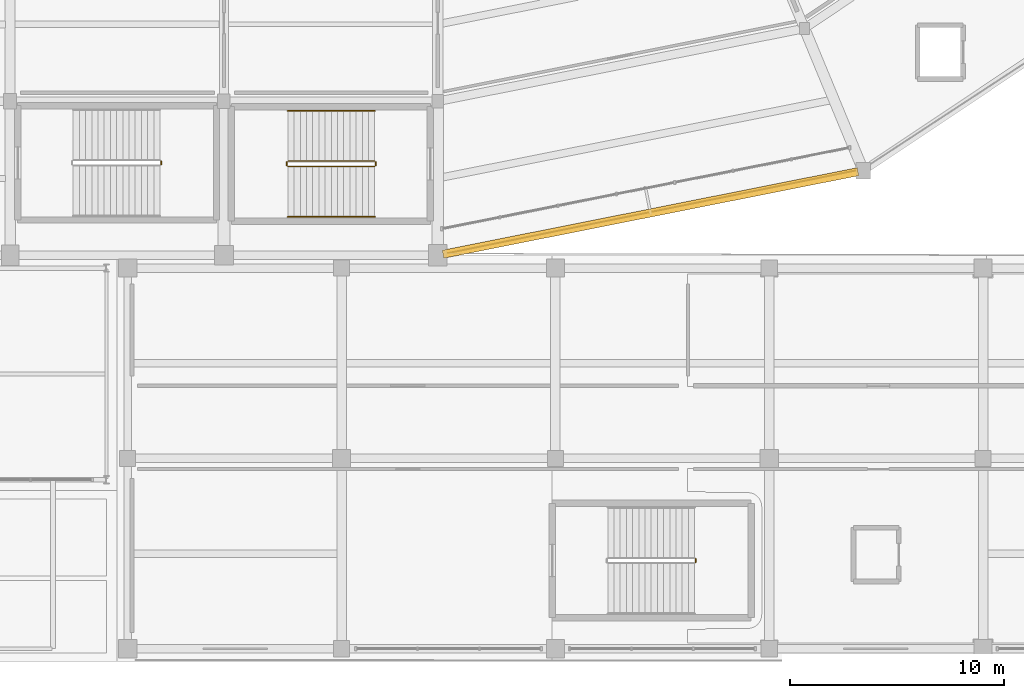
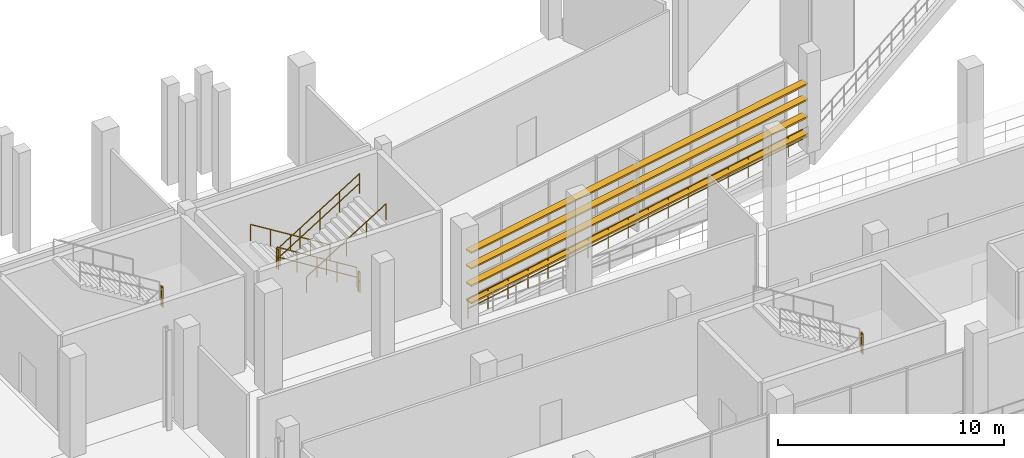
# One storey, part 103 of 114: 9 railings, 4 shading devices.
"""IFC4 building model written with IfcOpenShell, lengths in metres."""

from ifc_helpers import new_model, si_unit, direction, frame, origin, origin_2d, place, context, subcontext, project, spatial, rectangle, circle, extrude, material, layer, layer_set, type_object, element, save


model = new_model("IFC4")

# Units and contexts
model_context = context("Model", 3, precision=1e-05, world=origin(), true_north=direction((0.0, 1.0)))
body_context = subcontext(model_context, "Body", "Model", "MODEL_VIEW")
ifc_project = project(units=[si_unit("LENGTHUNIT", "METRE"), si_unit("AREAUNIT", "SQUARE_METRE"), si_unit("VOLUMEUNIT", "CUBIC_METRE"), si_unit("PLANEANGLEUNIT", "RADIAN"), si_unit("MASSUNIT", "GRAM", prefix="KILO")], contexts=[model_context])

# Site, building, storey
site_placement = place(None, origin())
site = spatial("IfcSite", under=ifc_project, at=site_placement, CompositionType="ELEMENT")
building_placement = place(site_placement, origin())
building = spatial("IfcBuilding", under=site, at=building_placement, Name="Candeia Ridge Stadium", CompositionType="ELEMENT")
storey_placement = place(building_placement, frame((0.0, 0.0, 5.39990234375)))
storey = spatial("IfcBuildingStorey", under=building, at=storey_placement, Name="L01", CompositionType="ELEMENT", Elevation=5.39990234375)

# Railings
ifc_material_1 = material(Name="Galvanized Powder-Coated Steel", Category="steel")
ifc_layer_1 = layer(ifc_material_1, 0.074951171875, Name="Galvanized Powder-Coated Steel", Category="steel")
ifc_layer_set_1 = layer_set([ifc_layer_1], Name="Galvanized Powder-Coated Steel")
railing_type_1 = type_object("IfcRailingType", Name="Spectator Bowl Front Guardrail 1120", PredefinedType="GUARDRAIL", material=ifc_layer_set_1)
railing_1_placement = place(storey_placement, frame((160.8837890625, 23.036865234375, 0.0)))
element("IfcRailing", 1, at=railing_1_placement, inside=storey, type_object=railing_type_1, Name="Deck edge safety guardrail GR-DE-L01-0028", PredefinedType="GUARDRAIL", context=body_context, shape_type="SweptSolid", body=[
    extrude(circle(Radius=0.02392578125, at=origin_2d()), frame((0.0, 0.0, 1.09619140625), z_axis=(-0.980074126306, -0.198632089417, 0.0), x_axis=(0.198632089417, -0.980074126306, 0.0)), (0.0, 0.0, 1.0), 20.055419921875),
    extrude(circle(Radius=0.02392578125, at=origin_2d()), frame((0.0, 0.0, 0.56005859375), z_axis=(-0.980074126306, -0.198632089417, 0.0), x_axis=(0.198632089417, -0.980074126306, 0.0)), (0.0, 0.0, 1.0), 20.055419921875),
    extrude(circle(Radius=0.02099609375, at=origin_2d()), origin(), (0.0, 0.0, 1.0), 1.072021484375),
    extrude(circle(Radius=0.02099609375, at=origin_2d()), frame((-1.15625, -0.234375, 0.0)), (0.0, 0.0, 1.0), 1.072021484375),
    extrude(circle(Radius=0.02099609375, at=origin_2d()), frame((-2.3125, -0.46875, 0.0)), (0.0, 0.0, 1.0), 1.072021484375),
    extrude(circle(Radius=0.02099609375, at=origin_2d()), frame((-3.46875, -0.702880859375, 0.0)), (0.0, 0.0, 1.0), 1.072021484375),
    extrude(circle(Radius=0.02099609375, at=origin_2d()), frame((-4.625, -0.937255859375, 0.0)), (0.0, 0.0, 1.0), 1.072021484375),
    extrude(circle(Radius=0.02099609375, at=origin_2d()), frame((-5.781005859375, -1.171630859375, 0.0)), (0.0, 0.0, 1.0), 1.072021484375),
    extrude(circle(Radius=0.02099609375, at=origin_2d()), frame((-6.937255859375, -1.406005859375, 0.0)), (0.0, 0.0, 1.0), 1.072021484375),
    extrude(circle(Radius=0.02099609375, at=origin_2d()), frame((-8.093505859375, -1.640380859375, 0.0)), (0.0, 0.0, 1.0), 1.072021484375),
    extrude(circle(Radius=0.02099609375, at=origin_2d()), frame((-9.249755859375, -1.874755859375, 0.0)), (0.0, 0.0, 1.0), 1.072021484375),
    extrude(circle(Radius=0.02099609375, at=origin_2d()), frame((-10.406005859375, -2.10888671875, 0.0)), (0.0, 0.0, 1.0), 1.072021484375),
    extrude(circle(Radius=0.02099609375, at=origin_2d()), frame((-11.562255859375, -2.34326171875, 0.0)), (0.0, 0.0, 1.0), 1.072021484375),
    extrude(circle(Radius=0.02099609375, at=origin_2d()), frame((-12.718505859375, -2.57763671875, 0.0)), (0.0, 0.0, 1.0), 1.072021484375),
    extrude(circle(Radius=0.02099609375, at=origin_2d()), frame((-13.874755859375, -2.81201171875, 0.0)), (0.0, 0.0, 1.0), 1.072021484375),
    extrude(circle(Radius=0.02099609375, at=origin_2d()), frame((-15.03076171875, -3.04638671875, 0.0)), (0.0, 0.0, 1.0), 1.072021484375),
    extrude(circle(Radius=0.02099609375, at=origin_2d()), frame((-16.18701171875, -3.28076171875, 0.0)), (0.0, 0.0, 1.0), 1.072021484375),
    extrude(circle(Radius=0.02099609375, at=origin_2d()), frame((-17.34326171875, -3.514892578125, 0.0)), (0.0, 0.0, 1.0), 1.072021484375),
    extrude(circle(Radius=0.02099609375, at=origin_2d()), frame((-18.49951171875, -3.749267578125, 0.0)), (0.0, 0.0, 1.0), 1.072021484375),
    extrude(circle(Radius=0.02099609375, at=origin_2d()), frame((-19.65576171875, -3.983642578125, 0.0)), (0.0, 0.0, 1.0), 1.072021484375),
])
ifc_material_2 = material(Name="Brushed Stainless Steel", Category="steel")
ifc_layer_2 = layer(ifc_material_2, 0.048095703125, Name="Brushed Stainless Steel", Category="steel")
ifc_layer_set_2 = layer_set([ifc_layer_2], Name="Brushed Stainless Steel")
railing_type_2 = type_object("IfcRailingType", Name="Stair Wall & Flight Handrail 900", PredefinedType="HANDRAIL", material=ifc_layer_set_2)
railing_2_placement = place(storey_placement, frame((138.050048828125, 25.75, 0.18017578125)))
element("IfcRailing", 2, at=railing_2_placement, inside=storey, type_object=railing_type_2, Name="L01 ST03 stair handrail 1", PredefinedType="HANDRAIL", context=body_context, shape_type="SweptSolid", body=[
    extrude(circle(Radius=0.02392578125, at=origin_2d()), frame((0.0, 0.0, 0.8759765625), z_axis=(-0.849641744969, 0.0, 0.527360318194), x_axis=(0.0, -1.0, 0.0)), (0.0, 0.0, 1.0), 4.778564453125),
    extrude(circle(Radius=0.02099609375, at=origin_2d()), origin(), (0.0, 0.0, 1.0), 0.851806640625),
    extrude(circle(Radius=0.02099609375, at=origin_2d()), frame((-1.01513671875, 0.0, 0.6298828125)), (0.0, 0.0, 1.0), 0.851806640625),
    extrude(circle(Radius=0.02099609375, at=origin_2d()), frame((-2.030029296875, 0.0, 1.260009765625)), (0.0, 0.0, 1.0), 0.851806640625),
    extrude(circle(Radius=0.02099609375, at=origin_2d()), frame((-3.044921875, 0.0, 1.89013671875)), (0.0, 0.0, 1.0), 0.851806640625),
    extrude(circle(Radius=0.02099609375, at=origin_2d()), frame((-4.06005859375, 0.0, 2.52001953125)), (0.0, 0.0, 1.0), 0.851806640625),
])
railing_3_placement = place(storey_placement, frame((133.989990234375, 20.800048828125, 2.880126953125)))
element("IfcRailing", 3, at=railing_3_placement, inside=storey, type_object=railing_type_2, Name="L01 ST03 stair handrail 2", PredefinedType="HANDRAIL", context=body_context, shape_type="SweptSolid", body=[
    extrude(circle(Radius=0.02392578125, at=origin_2d()), frame((0.0, 0.0, 0.8759765625), z_axis=(0.849641744969, 0.0, 0.527360318194), x_axis=(0.0, 1.0, 0.0)), (0.0, 0.0, 1.0), 4.778564453125),
    extrude(circle(Radius=0.02099609375, at=origin_2d()), origin(), (0.0, 0.0, 1.0), 0.851806640625),
    extrude(circle(Radius=0.02099609375, at=origin_2d()), frame((1.01513671875, 0.0, 0.6298828125)), (0.0, 0.0, 1.0), 0.851806640625),
    extrude(circle(Radius=0.02099609375, at=origin_2d()), frame((2.030029296875, 0.0, 1.260009765625)), (0.0, 0.0, 1.0), 0.851806640625),
    extrude(circle(Radius=0.02099609375, at=origin_2d()), frame((3.044921875, 0.0, 1.89013671875)), (0.0, 0.0, 1.0), 0.851806640625),
    extrude(circle(Radius=0.02099609375, at=origin_2d()), frame((4.06005859375, 0.0, 2.52001953125)), (0.0, 0.0, 1.0), 0.851806640625),
])
ifc_layer_3 = layer(ifc_material_1, 0.06005859375, Name="Galvanized Powder-Coated Steel", Category="steel")
ifc_layer_set_3 = layer_set([ifc_layer_3], Name="Galvanized Powder-Coated Steel")
railing_type_3 = type_object("IfcRailingType", Name="Stair Well Guardrail 1100", PredefinedType="GUARDRAIL", material=ifc_layer_set_3)
railing_4_placement = place(storey_placement, frame((138.050048828125, 23.39990234375, 0.18017578125)))
element("IfcRailing", 4, at=railing_4_placement, inside=storey, type_object=railing_type_3, Name="L01 ST03 stair guard 1", PredefinedType="GUARDRAIL", context=body_context, shape_type="SweptSolid", body=[
    extrude(circle(Radius=0.02392578125, at=origin_2d()), frame((0.0, 0.0, 1.076171875), z_axis=(-0.849641744969, 0.0, 0.527360318194), x_axis=(0.0, -1.0, 0.0)), (0.0, 0.0, 1.0), 4.778564453125),
    extrude(circle(Radius=0.02392578125, at=origin_2d()), frame((0.0, 0.0, 0.550048828125), z_axis=(-0.849641744969, 0.0, 0.527360318194), x_axis=(0.0, -1.0, 0.0)), (0.0, 0.0, 1.0), 4.778564453125),
    extrude(circle(Radius=0.02099609375, at=origin_2d()), origin(), (0.0, 0.0, 1.0), 1.052001953125),
    extrude(circle(Radius=0.02099609375, at=origin_2d()), frame((-1.01513671875, 0.0, 0.6298828125)), (0.0, 0.0, 1.0), 1.052001953125),
    extrude(circle(Radius=0.02099609375, at=origin_2d()), frame((-2.030029296875, 0.0, 1.260009765625)), (0.0, 0.0, 1.0), 1.052001953125),
    extrude(circle(Radius=0.02099609375, at=origin_2d()), frame((-3.044921875, 0.0, 1.89013671875)), (0.0, 0.0, 1.0), 1.052001953125),
    extrude(circle(Radius=0.02099609375, at=origin_2d()), frame((-4.06005859375, 0.0, 2.52001953125)), (0.0, 0.0, 1.0), 1.052001953125),
])
railing_5_placement = place(storey_placement, frame((133.93994140625, 23.35009765625, 2.7001953125)))
element("IfcRailing", 5, at=railing_5_placement, inside=storey, type_object=railing_type_3, Name="L01 ST03 stair guard 2", PredefinedType="GUARDRAIL", context=body_context, shape_type="SweptSolid", body=[
    extrude(circle(Radius=0.02392578125, at=origin_2d()), frame((0.0, 0.0, 1.076171875), z_axis=(0.0, -1.0, 0.0), x_axis=(1.0, 0.0, 0.0)), (0.0, 0.0, 1.0), 0.150146484375),
    extrude(circle(Radius=0.02392578125, at=origin_2d()), frame((0.0, 0.0, 0.550048828125), z_axis=(0.0, -1.0, 0.0), x_axis=(1.0, 0.0, 0.0)), (0.0, 0.0, 1.0), 0.150146484375),
    extrude(circle(Radius=0.02099609375, at=origin_2d()), origin(), (0.0, 0.0, 1.0), 1.052001953125),
    extrude(circle(Radius=0.02099609375, at=origin_2d()), frame((0.0, -0.150146484375, 0.0)), (0.0, 0.0, 1.0), 1.052001953125),
])
railing_6_placement = place(storey_placement, frame((133.989990234375, 23.14990234375, 2.880126953125)))
element("IfcRailing", 6, at=railing_6_placement, inside=storey, type_object=railing_type_3, Name="L01 ST03 stair guard 3", PredefinedType="GUARDRAIL", context=body_context, shape_type="SweptSolid", body=[
    extrude(circle(Radius=0.02392578125, at=origin_2d()), frame((0.0, 0.0, 1.076171875), z_axis=(0.849641744969, 0.0, 0.527360318194), x_axis=(0.0, 1.0, 0.0)), (0.0, 0.0, 1.0), 4.778564453125),
    extrude(circle(Radius=0.02392578125, at=origin_2d()), frame((0.0, 0.0, 0.550048828125), z_axis=(0.849641744969, 0.0, 0.527360318194), x_axis=(0.0, 1.0, 0.0)), (0.0, 0.0, 1.0), 4.778564453125),
    extrude(circle(Radius=0.02099609375, at=origin_2d()), origin(), (0.0, 0.0, 1.0), 1.052001953125),
    extrude(circle(Radius=0.02099609375, at=origin_2d()), frame((1.01513671875, 0.0, 0.6298828125)), (0.0, 0.0, 1.0), 1.052001953125),
    extrude(circle(Radius=0.02099609375, at=origin_2d()), frame((2.030029296875, 0.0, 1.260009765625)), (0.0, 0.0, 1.0), 1.052001953125),
    extrude(circle(Radius=0.02099609375, at=origin_2d()), frame((3.044921875, 0.0, 1.89013671875)), (0.0, 0.0, 1.0), 1.052001953125),
    extrude(circle(Radius=0.02099609375, at=origin_2d()), frame((4.06005859375, 0.0, 2.52001953125)), (0.0, 0.0, 1.0), 1.052001953125),
])
railing_7_placement = place(storey_placement, frame((138.10009765625, 23.35009765625, 0.0)))
element("IfcRailing", 7, at=railing_7_placement, inside=storey, type_object=railing_type_3, Name="L01 ST03 stair guard 4", PredefinedType="GUARDRAIL", context=body_context, shape_type="SweptSolid", body=[
    extrude(circle(Radius=0.02392578125, at=origin_2d()), frame((0.0, 0.0, 1.076171875), z_axis=(0.0, -1.0, 0.0), x_axis=(1.0, 0.0, 0.0)), (0.0, 0.0, 1.0), 0.150146484375),
    extrude(circle(Radius=0.02392578125, at=origin_2d()), frame((0.0, 0.0, 0.550048828125), z_axis=(0.0, -1.0, 0.0), x_axis=(1.0, 0.0, 0.0)), (0.0, 0.0, 1.0), 0.150146484375),
    extrude(circle(Radius=0.02099609375, at=origin_2d()), origin(), (0.0, 0.0, 1.0), 1.052001953125),
    extrude(circle(Radius=0.02099609375, at=origin_2d()), frame((0.0, -0.150146484375, 0.0)), (0.0, 0.0, 1.0), 1.052001953125),
])
railing_8_placement = place(storey_placement, frame((128.06005859375, 23.25, 2.7001953125)))
element("IfcRailing", 8, at=railing_8_placement, inside=storey, type_object=railing_type_3, Name="L01 ST12 stair guard 2", PredefinedType="GUARDRAIL", context=body_context, shape_type="SweptSolid", body=[
    extrude(circle(Radius=0.02392578125, at=origin_2d()), frame((0.0, 0.0, 1.076171875), z_axis=(0.0, 1.0, 0.0), x_axis=(-1.0, 0.0, 0.0)), (0.0, 0.0, 1.0), 0.14990234375),
    extrude(circle(Radius=0.02392578125, at=origin_2d()), frame((0.0, 0.0, 0.550048828125), z_axis=(0.0, 1.0, 0.0), x_axis=(-1.0, 0.0, 0.0)), (0.0, 0.0, 1.0), 0.14990234375),
    extrude(circle(Radius=0.02099609375, at=origin_2d()), origin(), (0.0, 0.0, 1.0), 1.052001953125),
    extrude(circle(Radius=0.02099609375, at=origin_2d()), frame((0.0, 0.14990234375, 0.0)), (0.0, 0.0, 1.0), 1.052001953125),
])
railing_9_placement = place(storey_placement, frame((153.06005859375, 4.64990234375, 2.7001953125)))
element("IfcRailing", 9, at=railing_9_placement, inside=storey, type_object=railing_type_3, Name="L01 ST14 stair guard 2", PredefinedType="GUARDRAIL", context=body_context, shape_type="SweptSolid", body=[
    extrude(circle(Radius=0.02392578125, at=origin_2d()), frame((0.0, 0.0, 1.076171875), z_axis=(0.0, 1.0, 0.0), x_axis=(-1.0, 0.0, 0.0)), (0.0, 0.0, 1.0), 0.150146484375),
    extrude(circle(Radius=0.02392578125, at=origin_2d()), frame((0.0, 0.0, 0.550048828125), z_axis=(0.0, 1.0, 0.0), x_axis=(-1.0, 0.0, 0.0)), (0.0, 0.0, 1.0), 0.150146484375),
    extrude(circle(Radius=0.02099609375, at=origin_2d()), origin(), (0.0, 0.0, 1.0), 1.052001953125),
    extrude(circle(Radius=0.02099609375, at=origin_2d()), frame((0.0, 0.150146484375, 0.0)), (0.0, 0.0, 1.0), 1.052001953125),
])

# Shading devices
ifc_material_3 = material(Name="Aluminium Anodized Warm Bronze", Category="aluminium")
shading_device_type = type_object("IfcShadingDeviceType", Name="Weathered Bronze Horizontal Solar Rib 380x85", PredefinedType="JALOUSIE", material=ifc_material_3)
for number, where, z_axis, x_axis, name in (
    (10, (150.94970703125, 20.979248046875, 0.8916015625), (0.0, 0.0, 1.0), (0.980785282416, 0.195090311899, 0.0), "Weathered bronze horizontal solar rib L01 bay 26-1"),
    (11, (150.94970703125, 20.979248046875, 1.825439453125), (0.0, 0.0, 1.0), (0.980785282416, 0.195090311899, 0.0), "Weathered bronze horizontal solar rib L01 bay 26-2"),
    (12, (150.94970703125, 20.979248046875, 2.75927734375), (0.0, 0.0, 1.0), (0.980785282416, 0.195090311899, 0.0), "Weathered bronze horizontal solar rib L01 bay 26-3"),
    (13, (150.94970703125, 20.979248046875, 3.6083984375), (0.0, 0.0, 1.0), (0.980785282416, 0.195090311899, 0.0), "Weathered bronze horizontal solar rib L01 bay 26-4"),
):
    element("IfcShadingDevice", number, at=place(storey_placement, frame(where, z_axis=z_axis, x_axis=x_axis)), inside=storey, type_object=shading_device_type, Name=name, PredefinedType="JALOUSIE", context=body_context, shape_type="SweptSolid", body=[
        extrude(rectangle(XDim=19.789306640625, YDim=0.3798828125, at=origin_2d()), origin(), (0.0, 0.0, 1.0), 0.0849609375),
    ])

save(model, "model.ifc")
